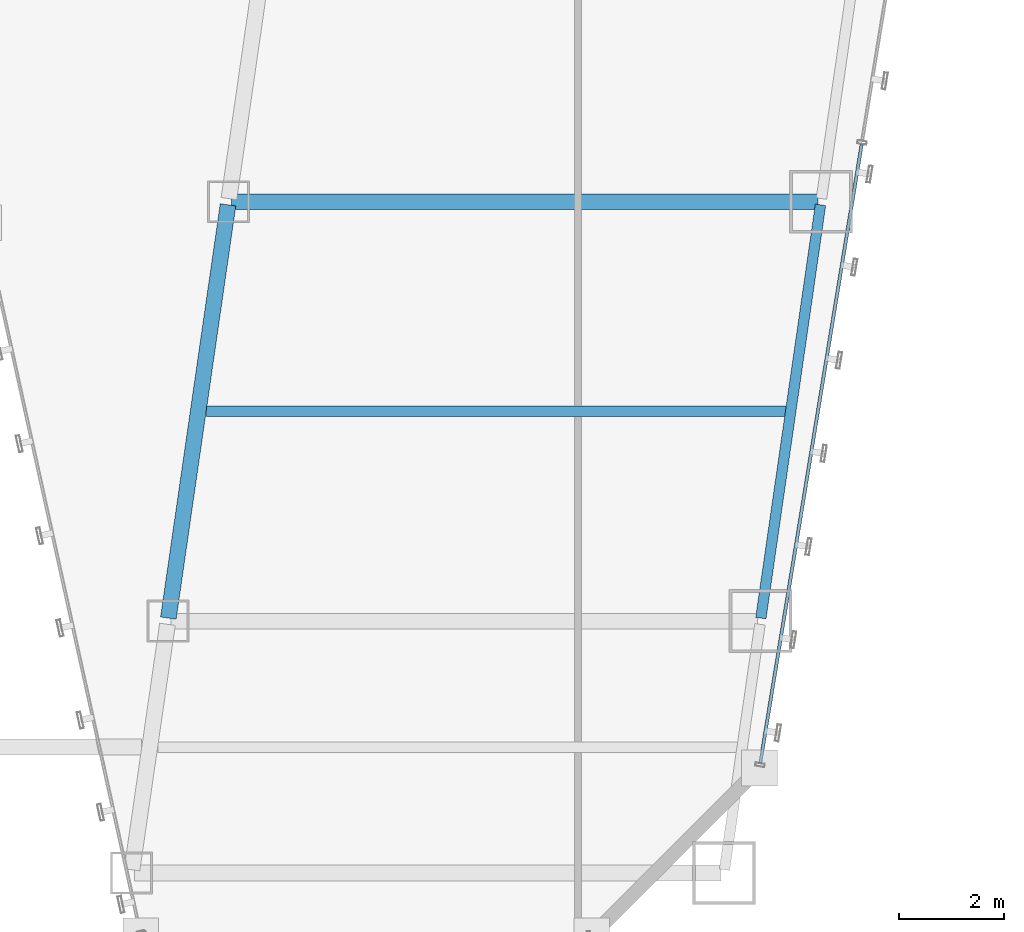
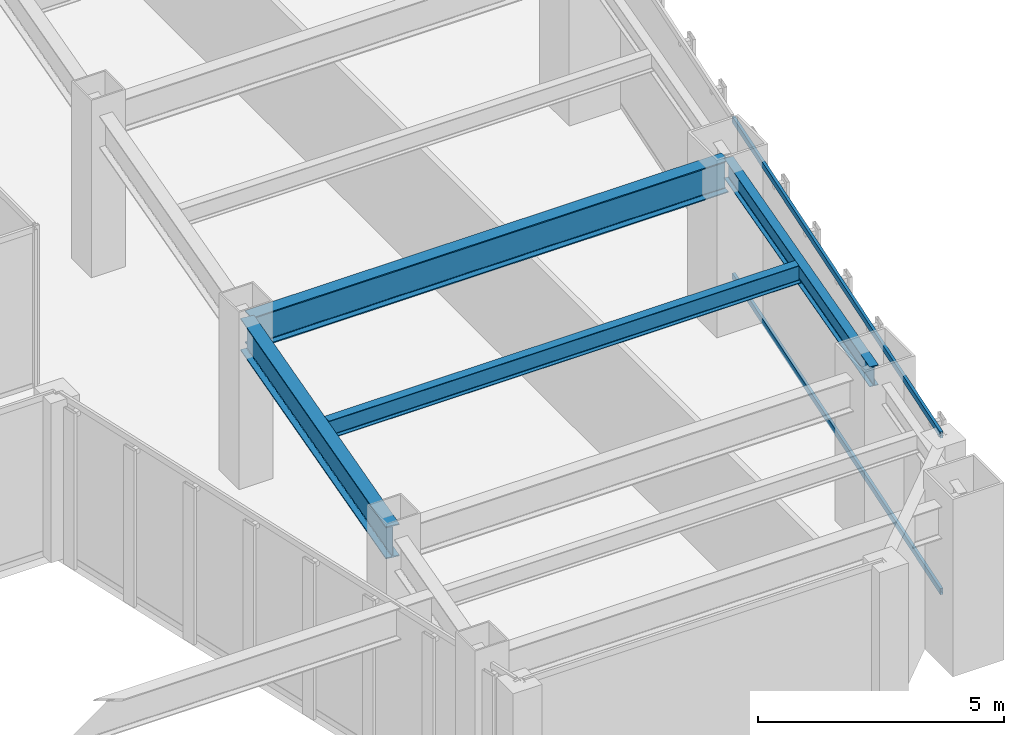
# One storey, part 16 of 47: 4 beams, 2 members, 1 element without a shape of its own.
"""IFC4 building model written with IfcOpenShell, lengths in metres."""

from ifc_helpers import new_model, si_unit, direction, frame, origin, origin_2d, place, context, subcontext, project, spatial, hollow_rectangle, i_section, extrude, material, material_profile, profile_set, type_object, element, aggregate, save


model = new_model("IFC4")

# Units and contexts
model_context = context("Model", 3, precision=1e-05, world=origin(), true_north=direction((0.0, 1.0)))
body_context = subcontext(model_context, "Body", "Model", "MODEL_VIEW")
ifc_project = project(units=[si_unit("LENGTHUNIT", "METRE"), si_unit("AREAUNIT", "SQUARE_METRE"), si_unit("VOLUMEUNIT", "CUBIC_METRE"), si_unit("PLANEANGLEUNIT", "RADIAN"), si_unit("MASSUNIT", "GRAM", prefix="KILO")], contexts=[model_context])

# Site, building, storey
site_placement = place(None, origin())
site = spatial("IfcSite", under=ifc_project, at=site_placement, CompositionType="ELEMENT")
building_placement = place(site_placement, origin())
building = spatial("IfcBuilding", under=site, at=building_placement, Name="Saevonmaru Cultural Tower", CompositionType="ELEMENT")
storey_placement = place(building_placement, frame((0.0, 0.0, 82.39990234375)))
storey = spatial("IfcBuildingStorey", under=building, at=storey_placement, Name="L17", CompositionType="ELEMENT", Elevation=82.39990234375)

# Beams
ifc_material_1 = material(Name="Steel SM420", Category="steel")
ifc_material_profile_1 = material_profile(ifc_material_1, i_section(OverallWidth=0.300048828125, OverallDepth=0.800048828125, WebThickness=0.013916015625, FlangeThickness=0.02587890625, FilletRadius=0.028076171875, at=origin_2d()), Name="H-800x300x14x26")
ifc_profile_set_1 = profile_set([ifc_material_profile_1], Name="Steel SM420")
beam_type_1 = type_object("IfcBeamType", Name="BM-G-H800", PredefinedType="BEAM", material=ifc_profile_set_1)
beam_1_placement = place(storey_placement, frame((36.925537109375, 8.059326171875, 3.550048828125), z_axis=(0.142902032203, 0.989736838353, 0.0), x_axis=(-0.989736838353, 0.142902032203, 0.0)))
element("IfcBeam", 1, at=beam_1_placement, inside=storey, type_object=beam_type_1, Name="L17 East Atrium Girder 2", PredefinedType="BEAM", context=body_context, shape_type="SweptSolid", body=[
    extrude(i_section(OverallWidth=0.300048828125, OverallDepth=0.800048828125, WebThickness=0.013916015625, FlangeThickness=0.02587890625, FilletRadius=0.028076171875, at=origin_2d()), origin(), (0.0, 0.0, 1.0), 7.963134765625),
])
beam_2_placement = place(storey_placement, frame((38.132080078125, 16.0, 3.550048828125), z_axis=(1.0, 0.0, 0.0), x_axis=(0.0, 1.0, 0.0)))
element("IfcBeam", 2, at=beam_2_placement, inside=storey, type_object=beam_type_1, Name="L17 East Wing Transverse Girder 3", PredefinedType="BEAM", context=body_context, shape_type="SweptSolid", body=[
    extrude(i_section(OverallWidth=0.300048828125, OverallDepth=0.800048828125, WebThickness=0.013916015625, FlangeThickness=0.02587890625, FilletRadius=0.028076171875, at=origin_2d()), origin(), (0.0, 0.0, 1.0), 11.179931640625),
])
ifc_material_2 = material(Name="Steel SM355", Category="steel")
ifc_material_profile_2 = material_profile(ifc_material_2, i_section(OverallWidth=0.199951171875, OverallDepth=0.449951171875, WebThickness=0.009033203125, FlangeThickness=0.013916015625, FilletRadius=0.01806640625, at=origin_2d()), Name="H-450x200x9x14")
ifc_profile_set_2 = profile_set([ifc_material_profile_2], Name="Steel SM355")
beam_type_2 = type_object("IfcBeamType", Name="BM-J-H450", PredefinedType="JOIST", material=ifc_profile_set_2)
beam_3_placement = place(storey_placement, frame((37.652587890625, 12.0, 3.72509765625), z_axis=(1.0, 0.0, 0.0), x_axis=(0.0, 1.0, 0.0)))
element("IfcBeam", 3, at=beam_3_placement, inside=storey, type_object=beam_type_2, Name="L17 East Wing Floor Joist 2", PredefinedType="JOIST", context=body_context, shape_type="SweptSolid", body=[
    extrude(i_section(OverallWidth=0.199951171875, OverallDepth=0.449951171875, WebThickness=0.009033203125, FlangeThickness=0.013916015625, FilletRadius=0.01806640625, at=origin_2d()), origin(), (0.0, 0.0, 1.0), 11.08203125),
])
ifc_material_profile_3 = material_profile(ifc_material_2, i_section(OverallWidth=0.199951171875, OverallDepth=0.5, WebThickness=0.010009765625, FlangeThickness=0.01611328125, FilletRadius=0.02001953125, at=origin_2d()), Name="H-500x200x10x16")
ifc_profile_set_3 = profile_set([ifc_material_profile_3], Name="Steel SM355")
beam_type_3 = type_object("IfcBeamType", Name="BM-SP-H500", PredefinedType="SPANDREL", material=ifc_profile_set_3)
beam_4_placement = place(storey_placement, frame((48.2255859375, 8.059326171875, 3.7001953125), z_axis=(0.142871999001, 0.989741174197, 0.0), x_axis=(-0.989741174197, 0.142871999001, 0.0)))
element("IfcBeam", 4, at=beam_4_placement, inside=storey, type_object=beam_type_3, Name="L17 East Splayed Spandrel 2", PredefinedType="SPANDREL", context=body_context, shape_type="SweptSolid", body=[
    extrude(i_section(OverallWidth=0.199951171875, OverallDepth=0.5, WebThickness=0.010009765625, FlangeThickness=0.01611328125, FilletRadius=0.02001953125, at=origin_2d()), origin(), (0.0, 0.0, 1.0), 7.963134765625),
])

# Curtain wall, members
ifc_material_3 = material(Name="Satin Bronze Anodised Aluminium", Category="aluminium")
curtain_wall_type = type_object("IfcCurtainWallType", Name="CW-TYP-A", PredefinedType="NOTDEFINED", material=ifc_material_3)
curtain_wall_placement = place(storey_placement, origin())
curtain_wall = element("IfcCurtainWall", 5, at=curtain_wall_placement, inside=storey, type_object=curtain_wall_type, Name="L17 Unitised Curtain Wall E8", PredefinedType="NOTDEFINED")
ifc_material_profile_4 = material_profile(ifc_material_3, hollow_rectangle(XDim=0.06494140625, YDim=0.14990234375, WallThickness=0.00390625, at=origin_2d()), Name="ALU-TRAN-150x65x4")
ifc_profile_set_4 = profile_set([ifc_material_profile_4], Name="Satin Bronze Anodised Aluminium")
member_type = type_object("IfcMemberType", Name="TR-CW-150x65", PredefinedType="USERDEFINED", material=ifc_profile_set_4)
member_1_placement = place(storey_placement, frame((48.21484375, 5.291259765625, 0.03271484375), z_axis=(0.161724530373, 0.986835941925, 0.0), x_axis=(-0.986835941925, 0.161724530373, 0.0)))
member_1 = element("IfcMember", 6, at=member_1_placement, type_object=member_type, Name="CW-TW-L17-E8 transom 1.1", ObjectType="TRANSOM", PredefinedType="USERDEFINED", context=body_context, shape_type="SweptSolid", body=[
    extrude(hollow_rectangle(XDim=0.06494140625, YDim=0.14990234375, WallThickness=0.00390625, at=origin_2d()), origin(), (0.0, 0.0, 1.0), 11.963623046875),
])
member_2_placement = place(storey_placement, frame((48.21484375, 5.291259765625, 3.91748046875), z_axis=(0.161724530373, 0.986835941925, 0.0), x_axis=(-0.986835941925, 0.161724530373, 0.0)))
member_2 = element("IfcMember", 7, at=member_2_placement, type_object=member_type, Name="CW-TW-L17-E8 transom 1.2", ObjectType="TRANSOM", PredefinedType="USERDEFINED", context=body_context, shape_type="SweptSolid", body=[
    extrude(hollow_rectangle(XDim=0.06494140625, YDim=0.14990234375, WallThickness=0.00390625, at=origin_2d()), origin(), (0.0, 0.0, 1.0), 11.963623046875),
])
aggregate(curtain_wall, [member_1, member_2])

save(model, "model.ifc")
